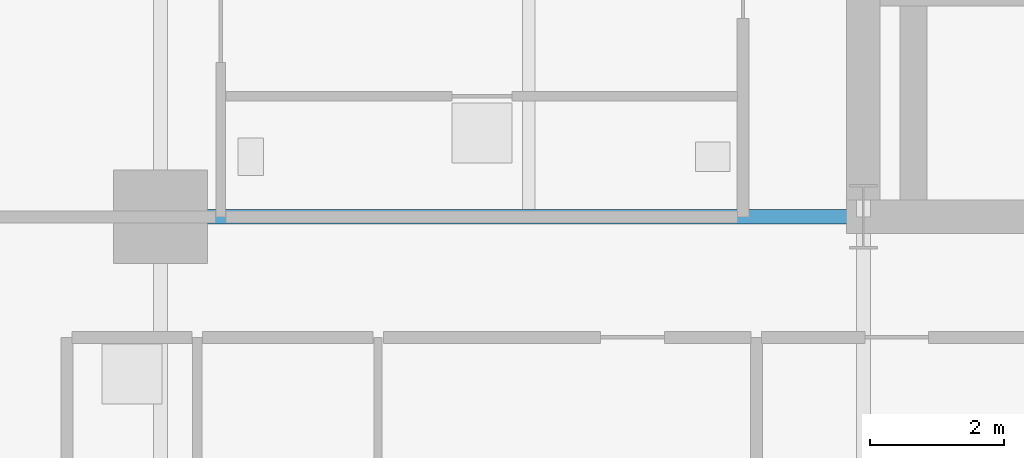
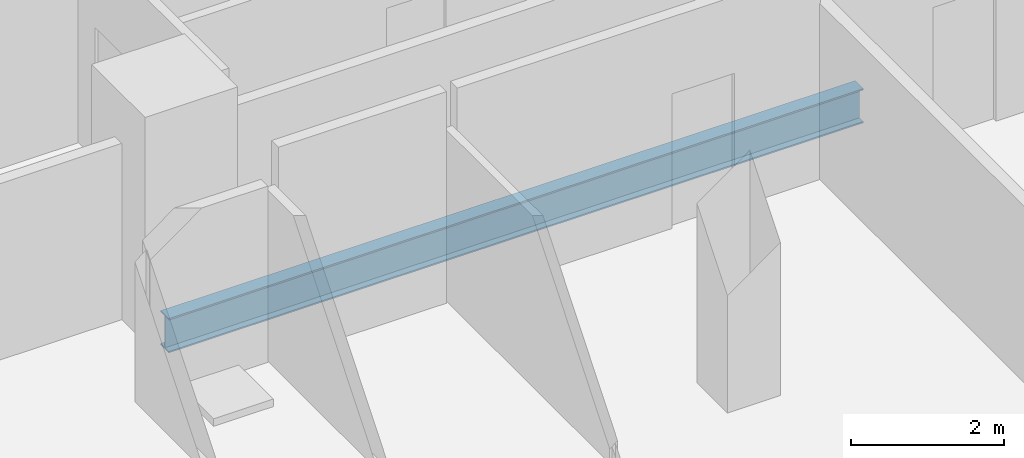
# One storey, part 5 of 24: 1 beam.
"""IFC4 building model written with IfcOpenShell, lengths in metres."""

from ifc_helpers import new_model, si_unit, direction, frame, origin, origin_2d, place, context, subcontext, project, spatial, i_section, extrude, material, material_profile, profile_set, type_object, element, save


model = new_model("IFC4")

# Units and contexts
model_context = context("Model", 3, precision=1e-05, world=origin(), true_north=direction((0.0, 1.0)))
body_context = subcontext(model_context, "Body", "Model", "MODEL_VIEW")
ifc_project = project(units=[si_unit("LENGTHUNIT", "METRE"), si_unit("AREAUNIT", "SQUARE_METRE"), si_unit("VOLUMEUNIT", "CUBIC_METRE"), si_unit("PLANEANGLEUNIT", "RADIAN"), si_unit("MASSUNIT", "GRAM", prefix="KILO")], contexts=[model_context])

# Site, building, storey
site_placement = place(None, origin())
site = spatial("IfcSite", under=ifc_project, at=site_placement, CompositionType="ELEMENT")
building_placement = place(site_placement, origin())
building = spatial("IfcBuilding", under=site, at=building_placement, Name="Barlavira Tower and Art Museum", CompositionType="ELEMENT")
storey_placement = place(building_placement, frame((0.0, 0.0, 32.39990234375)))
storey = spatial("IfcBuildingStorey", under=building, at=storey_placement, Name="L06", CompositionType="ELEMENT", Elevation=32.39990234375)

# Beam
ifc_material = material(Name="Steel S355", Category="steel")
ifc_material_profile = material_profile(ifc_material, i_section(OverallWidth=0.214111328125, OverallDepth=0.549072265625, WebThickness=0.0146484375, FlangeThickness=0.023681640625, at=origin_2d()), Name="W530x138.0")
ifc_profile_set = profile_set([ifc_material_profile], Name="Steel S355")
beam_type = type_object("IfcBeamType", Name="Zone 1 Primary Floor Girder W530x138 Steel S355", PredefinedType="BEAM", material=ifc_profile_set)
beam_placement = place(storey_placement, frame((-17.0, -7.5, -0.494384765625), z_axis=(1.0, 0.0, 0.0), x_axis=(0.0, 1.0, 0.0)))
element("IfcBeam", 1, at=beam_placement, inside=storey, type_object=beam_type, Name="L06 Girder R-W1", PredefinedType="BEAM", context=body_context, shape_type="SweptSolid", body=[
    extrude(i_section(OverallWidth=0.214111328125, OverallDepth=0.549072265625, WebThickness=0.0146484375, FlangeThickness=0.023681640625, at=origin_2d()), origin(), (0.0, 0.0, 1.0), 10.5),
])

save(model, "model.ifc")
